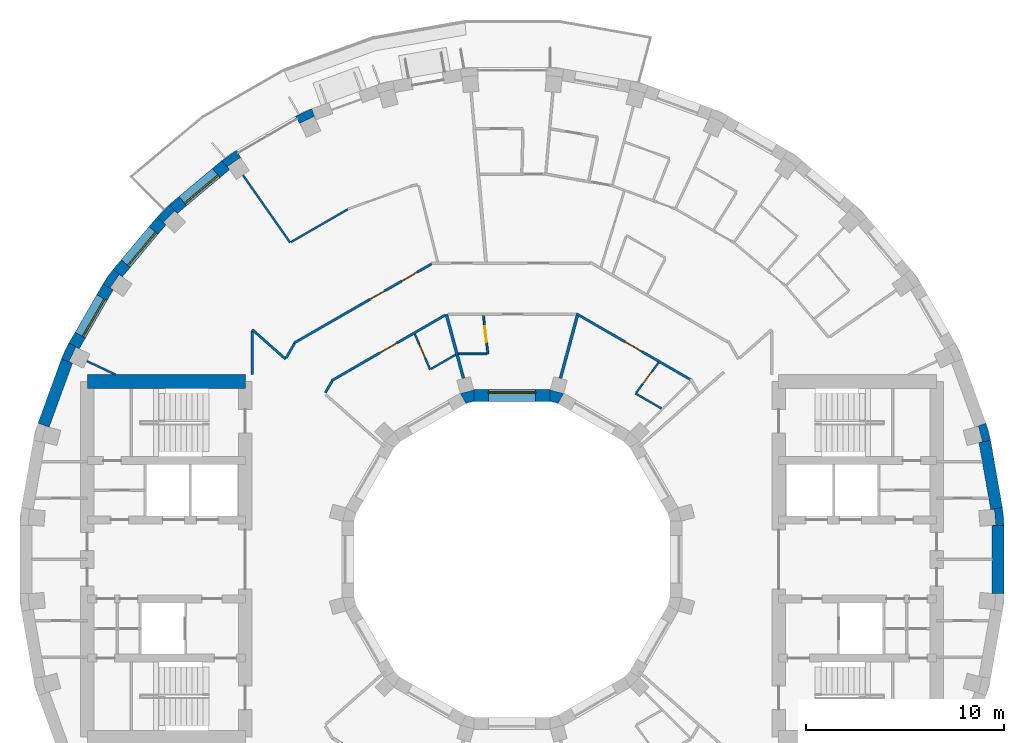
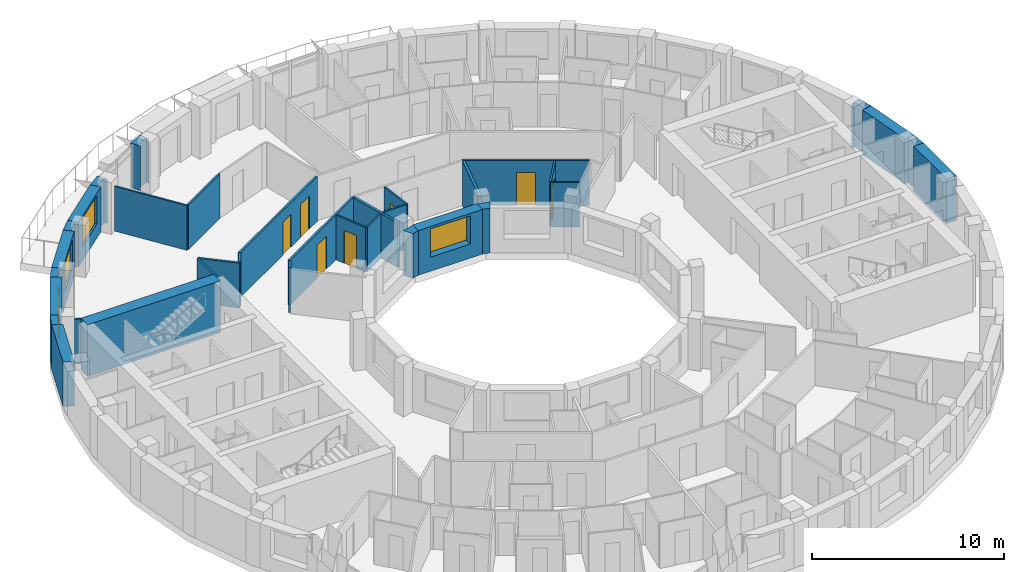
# One storey, part 10 of 14: 35 walls, 7 doors, 4 windows, 11 openings.
"""IFC4 building model written with IfcOpenShell, lengths in metres."""

from ifc_helpers import new_model, si_unit, direction, frame, frame_2d, origin, place, context, subcontext, project, spatial, polyline, rectangle, outline, extrude, material, layer, layer_set, type_object, element, fill, save


model = new_model("IFC4")

# Units and contexts
model_context = context("Model", 3, precision=1e-05, world=origin(), true_north=direction((0.0, 1.0)))
body_context = subcontext(model_context, "Body", "Model", "MODEL_VIEW")
ifc_project = project(units=[si_unit("LENGTHUNIT", "METRE"), si_unit("AREAUNIT", "SQUARE_METRE"), si_unit("VOLUMEUNIT", "CUBIC_METRE"), si_unit("PLANEANGLEUNIT", "RADIAN"), si_unit("MASSUNIT", "GRAM", prefix="KILO")], contexts=[model_context])

# Site, building, storey
site_placement = place(None, origin())
site = spatial("IfcSite", under=ifc_project, at=site_placement, CompositionType="ELEMENT")
building_placement = place(site_placement, origin())
building = spatial("IfcBuilding", under=site, at=building_placement, Name="Saqina Gate Tower", CompositionType="ELEMENT")
storey_placement = place(building_placement, frame((0.0, 0.0, 210.300048828125)))
storey = spatial("IfcBuildingStorey", under=building, at=storey_placement, Name="L60", CompositionType="ELEMENT", Elevation=210.300048828125)

# Walls
ifc_material_1 = material(Name="Brick masonry (buff)", Category="masonry")
wall_type_1 = type_object("IfcWallType", Name="BRICK PIER COPING BUFF", PredefinedType="SOLIDWALL", material=ifc_material_1)
wall_1_placement = place(storey_placement, origin())
element("IfcWall", 1, at=wall_1_placement, inside=storey, type_object=wall_type_1, Name="Pier cap L60 column 1", PredefinedType="SOLIDWALL", context=body_context, shape_type="SweptSolid", body=[
    extrude(outline(polyline([(24.90478515625, 1.724853515625), (24.825927734375, 2.6259765625), (24.235107421875, 2.521728515625), (24.421630859375, 2.5380859375), (24.491455078125, 1.7412109375), (24.304931640625, 1.724853515625), (24.90478515625, 1.724853515625)])), origin(), (0.0, 0.0, 1.0), 2.849853515625),
])
wall_2_placement = place(storey_placement, origin())
element("IfcWall", 2, at=wall_2_placement, inside=storey, type_object=wall_type_1, Name="Pier cap L60 column 2", PredefinedType="SOLIDWALL", context=body_context, shape_type="SweptSolid", body=[
    extrude(outline(polyline([(24.22705078125, 6.0234375), (23.992919921875, 6.897216796875), (23.428955078125, 6.69189453125), (23.610107421875, 6.740478515625), (23.81689453125, 5.967529296875), (23.635986328125, 5.919189453125), (24.22705078125, 6.0234375)])), origin(), (0.0, 0.0, 1.0), 2.849853515625),
])
wall_3_placement = place(storey_placement, origin())
element("IfcWall", 3, at=wall_3_placement, inside=storey, type_object=wall_type_1, Name="Pier cap L60 column 12", PredefinedType="SOLIDWALL", context=body_context, shape_type="SweptSolid", body=[
    extrude(outline(polyline([(-10.958740234375, 22.4306640625), (-10.65869140625, 21.9111328125), (-10.73779296875, 22.080810546875), (-10.0126953125, 22.4189453125), (-9.93359375, 22.249267578125), (-10.138916015625, 22.81298828125), (-10.958740234375, 22.4306640625)])), origin(), (0.0, 0.0, 1.0), 2.849853515625),
])
wall_4_placement = place(storey_placement, origin())
element("IfcWall", 4, at=wall_4_placement, inside=storey, type_object=wall_type_1, Name="Pier cap L60 column 13", PredefinedType="SOLIDWALL", context=body_context, shape_type="SweptSolid", body=[
    extrude(outline(polyline([(-13.9462890625, 20.705810546875), (-14.687255859375, 20.18701171875), (-14.301513671875, 19.727294921875), (-14.408935546875, 19.880859375), (-13.753662109375, 20.339599609375), (-13.646240234375, 20.186279296875), (-13.9462890625, 20.705810546875)])), origin(), (0.0, 0.0, 1.0), 2.849853515625),
])
wall_5_placement = place(storey_placement, origin())
element("IfcWall", 5, at=wall_5_placement, inside=storey, type_object=wall_type_1, Name="Pier cap L60 column 14", PredefinedType="SOLIDWALL", context=body_context, shape_type="SweptSolid", body=[
    extrude(outline(polyline([(-17.969482421875, 17.329833984375), (-17.510009765625, 16.944091796875), (-17.642333984375, 17.07666015625), (-17.07666015625, 17.642333984375), (-16.944091796875, 17.510009765625), (-17.329833984375, 17.969482421875), (-17.969482421875, 17.329833984375)])), origin(), (0.0, 0.0, 1.0), 2.849853515625),
])
wall_6_placement = place(storey_placement, origin())
element("IfcWall", 6, at=wall_6_placement, inside=storey, type_object=wall_type_1, Name="Pier cap L60 column 15", PredefinedType="SOLIDWALL", context=body_context, shape_type="SweptSolid", body=[
    extrude(outline(polyline([(-20.18701171875, 14.687255859375), (-20.705810546875, 13.9462890625), (-20.186279296875, 13.646240234375), (-20.339599609375, 13.753662109375), (-19.880859375, 14.408935546875), (-19.727294921875, 14.301513671875), (-20.18701171875, 14.687255859375)])), origin(), (0.0, 0.0, 1.0), 2.849853515625),
])
wall_7_placement = place(storey_placement, origin())
element("IfcWall", 7, at=wall_7_placement, inside=storey, type_object=wall_type_1, Name="Pier cap L60 column 16", PredefinedType="SOLIDWALL", context=body_context, shape_type="SweptSolid", body=[
    extrude(outline(polyline([(-22.81298828125, 10.138916015625), (-22.249267578125, 9.93359375), (-22.4189453125, 10.0126953125), (-22.080810546875, 10.73779296875), (-21.9111328125, 10.65869140625), (-22.4306640625, 10.958740234375), (-22.81298828125, 10.138916015625)])), origin(), (0.0, 0.0, 1.0), 2.849853515625),
])

# Wall, opening, window
ifc_material_2 = material(Name="Brick masonry (buff)", Category="masonry")
ifc_layer_1 = layer(ifc_material_2, 0.60009765625)
ifc_layer_set_1 = layer_set([ifc_layer_1], Name="FW-BRICK-BUFF")
wall_type_2 = type_object("IfcWallType", Name="FW-BRICK-BUFF", PredefinedType="SOLIDWALL", material=ifc_layer_set_1)
wall_8_placement = place(storey_placement, frame((-14.494384765625, 19.95703125, 0.0), z_axis=(0.0, 0.0, 1.0), x_axis=(-0.766058884809, -0.642770398358, 0.0)))
wall_8 = element("IfcWall", 8, at=wall_8_placement, inside=storey, type_object=wall_type_2, Name="Facade wall L60 facet 13", PredefinedType="SOLIDWALL", context=body_context, shape_type="SweptSolid", body=[
    extrude(rectangle(XDim=3.449462890625, YDim=0.60009765625, at=frame_2d((1.724609375, 0.0))), origin(), (0.0, 0.0, 1.0), 2.849853515625),
])
opening_1_placement = place(wall_8_placement, frame((0.625, 0.0, 0.89990234375)))
opening_1 = element("IfcOpeningElement", 9, at=opening_1_placement, cuts=wall_8, Name="Opening G18-W07", PredefinedType="OPENING", context=body_context, shape_type="SweptSolid", body=[
    extrude(rectangle(XDim=2.199951171875, YDim=1.800048828125, at=frame_2d((1.10009765625, 0.89990234375))), frame((0.0, 0.31201171875, 0.0), z_axis=(0.0, -1.0, 0.0), x_axis=(1.0, 0.0, 0.0)), (0.0, 0.0, 1.0), 0.6240234375),
])
ifc_material_3 = material(Name="Aluminium glazing", Category="aluminium")
window_type_1 = type_object("IfcWindowType", Name="WN-C", PartitioningType="SINGLE_PANEL", PredefinedType="WINDOW", material=ifc_material_3)
window_1_placement = place(opening_1_placement, origin())
window_1 = element("IfcWindow", 10, at=window_1_placement, inside=storey, type_object=window_type_1, Name="Window L60 facet 13", OverallHeight=1.800048828125, OverallWidth=2.199951171875, PartitioningType="SINGLE_PANEL", PredefinedType="WINDOW", context=body_context, shape_type="SweptSolid", body=[
    extrude(rectangle(XDim=2.199951171875, YDim=1.800048828125, at=frame_2d((1.10009765625, 0.89990234375))), frame((0.0, 0.179931640625, 0.0), z_axis=(0.0, -1.0, 0.0), x_axis=(1.0, 0.0, 0.0)), (0.0, 0.0, 1.0), 0.06005859375),
])
fill(opening_1, window_1)

wall_9_placement = place(storey_placement, frame((-17.73974609375, 17.136962890625, 0.0), z_axis=(0.0, 0.0, 1.0), x_axis=(-0.642770398358, -0.766058884809, 0.0)))
wall_9 = element("IfcWall", 11, at=wall_9_placement, inside=storey, type_object=wall_type_2, Name="Facade wall L60 facet 14", PredefinedType="SOLIDWALL", context=body_context, shape_type="SweptSolid", body=[
    extrude(rectangle(XDim=3.449462890625, YDim=0.60009765625, at=frame_2d((1.724609375, 0.0))), origin(), (0.0, 0.0, 1.0), 2.849853515625),
])
opening_2_placement = place(wall_9_placement, frame((0.625, 0.0, 0.89990234375)))
opening_2 = element("IfcOpeningElement", 12, at=opening_2_placement, cuts=wall_9, Name="Opening G18-W08", PredefinedType="OPENING", context=body_context, shape_type="SweptSolid", body=[
    extrude(rectangle(XDim=2.199951171875, YDim=1.800048828125, at=frame_2d((1.10009765625, 0.89990234375))), frame((0.0, 0.31201171875, 0.0), z_axis=(0.0, -1.0, 0.0), x_axis=(1.0, 0.0, 0.0)), (0.0, 0.0, 1.0), 0.6240234375),
])
window_2_placement = place(opening_2_placement, origin())
window_2 = element("IfcWindow", 13, at=window_2_placement, inside=storey, type_object=window_type_1, Name="Window L60 facet 14", OverallHeight=1.800048828125, OverallWidth=2.199951171875, PartitioningType="SINGLE_PANEL", PredefinedType="WINDOW", context=body_context, shape_type="SweptSolid", body=[
    extrude(rectangle(XDim=2.199951171875, YDim=1.800048828125, at=frame_2d((1.10009765625, 0.89990234375))), frame((0.0, 0.179931640625, 0.0), z_axis=(0.0, -1.0, 0.0), x_axis=(1.0, 0.0, 0.0)), (0.0, 0.0, 1.0), 0.06005859375),
])
fill(opening_2, window_2)

wall_10_placement = place(storey_placement, frame((-20.446044921875, 13.796142578125, 0.0), z_axis=(0.0, 0.0, 1.0), x_axis=(-0.499998129301, -0.86602648383, 0.0)))
wall_10 = element("IfcWall", 14, at=wall_10_placement, inside=storey, type_object=wall_type_2, Name="Facade wall L60 facet 15", PredefinedType="SOLIDWALL", context=body_context, shape_type="SweptSolid", body=[
    extrude(rectangle(XDim=3.44970703125, YDim=0.60009765625, at=frame_2d((1.724853515625, 0.0))), origin(), (0.0, 0.0, 1.0), 2.849853515625),
])
opening_3_placement = place(wall_10_placement, frame((0.625, 0.0, 0.89990234375)))
opening_3 = element("IfcOpeningElement", 15, at=opening_3_placement, cuts=wall_10, Name="Opening G18-W09", PredefinedType="OPENING", context=body_context, shape_type="SweptSolid", body=[
    extrude(rectangle(XDim=2.199951171875, YDim=1.800048828125, at=frame_2d((1.10009765625, 0.89990234375))), frame((0.0, 0.31201171875, 0.0), z_axis=(0.0, -1.0, 0.0), x_axis=(1.0, 0.0, 0.0)), (0.0, 0.0, 1.0), 0.6240234375),
])
window_3_placement = place(opening_3_placement, origin())
window_3 = element("IfcWindow", 16, at=window_3_placement, inside=storey, type_object=window_type_1, Name="Window L60 facet 15", OverallHeight=1.800048828125, OverallWidth=2.199951171875, PartitioningType="SINGLE_PANEL", PredefinedType="WINDOW", context=body_context, shape_type="SweptSolid", body=[
    extrude(rectangle(XDim=2.199951171875, YDim=1.800048828125, at=frame_2d((1.10009765625, 0.89990234375))), frame((0.0, 0.179931640625, 0.0), z_axis=(0.0, -1.0, 0.0), x_axis=(1.0, 0.0, 0.0)), (0.0, 0.0, 1.0), 0.06005859375),
])
fill(opening_3, window_3)

# Walls
ifc_material_4 = material(Name="Glazed ceramic tile", Category="ceramic")
ifc_layer_2 = layer(ifc_material_4, 0.60009765625)
ifc_layer_set_2 = layer_set([ifc_layer_2], Name="FW-TILE")
wall_type_3 = type_object("IfcWallType", Name="FW-TILE", PredefinedType="SOLIDWALL", material=ifc_layer_set_2)
wall_11_placement = place(storey_placement, frame((24.530517578125, 2.573974609375, 0.0), z_axis=(0.0, 0.0, 1.0), x_axis=(-0.173607684551, 0.984814892183, 0.0)))
element("IfcWall", 17, at=wall_11_placement, inside=storey, type_object=wall_type_3, Name="Facade wall L60 facet 1", PredefinedType="SOLIDWALL", context=body_context, shape_type="SweptSolid", body=[
    extrude(rectangle(XDim=3.44970703125, YDim=0.60009765625, at=frame_2d((1.724853515625, 0.0))), origin(), (0.0, 0.0, 1.0), 2.849853515625),
])
ifc_material_5 = material(Name="Glazed ceramic tile (white)", Category="ceramic")
ifc_layer_3 = layer(ifc_material_5, 0.60009765625)
ifc_layer_set_3 = layer_set([ifc_layer_3], Name="FW-TILE-WH")
wall_type_4 = type_object("IfcWallType", Name="FW-TILE-WH", PredefinedType="SOLIDWALL", material=ifc_layer_set_3)
for number, where, z_axis, x_axis, name in (
    (18, (-22.531005859375, 10.0361328125, 0.0), (0.0, 0.0, 1.0), (-0.342032843455, -0.93968799822, 0.0), "Facade wall L60 facet 16"),
    (19, (24.60498046875, -1.724853515625, 0.0), (0.0, 0.0, 1.0), (0.0, 1.0, 0.0), "Facade wall L60 facet 36"),
):
    element("IfcWall", number, at=place(storey_placement, frame(where, z_axis=z_axis, x_axis=x_axis)), inside=storey, type_object=wall_type_4, Name=name, PredefinedType="SOLIDWALL", context=body_context, shape_type="SweptSolid", body=[
        extrude(rectangle(XDim=3.44970703125, YDim=0.60009765625, at=frame_2d((1.724853515625, 0.0))), origin(), (0.0, 0.0, 1.0), 2.849853515625),
    ])

# Wall, opening, window
ifc_material_6 = material(Name="Glazed ceramic tile", Category="ceramic")
ifc_layer_4 = layer(ifc_material_6, 0.60009765625)
ifc_layer_set_4 = layer_set([ifc_layer_4], Name="IW-TILE")
wall_type_5 = type_object("IfcWallType", Name="IW-TILE", PredefinedType="SOLIDWALL", material=ifc_layer_set_4)
wall_12_placement = place(storey_placement, frame((1.934814453125, 8.300048828125, 0.0), z_axis=(0.0, 0.0, 1.0), x_axis=(-1.0, 0.0, 0.0)))
wall_12 = element("IfcWall", 20, at=wall_12_placement, inside=storey, type_object=wall_type_5, Name="Well wall L60 facet 3", PredefinedType="SOLIDWALL", context=body_context, shape_type="SweptSolid", body=[
    extrude(rectangle(XDim=3.86962890625, YDim=0.60009765625, at=frame_2d((1.934814453125, 0.0))), origin(), (0.0, 0.0, 1.0), 2.849853515625),
])
opening_4_placement = place(wall_12_placement, frame((0.73486328125, 0.0, 0.89990234375)))
opening_4 = element("IfcOpeningElement", 21, at=opening_4_placement, cuts=wall_12, Name="Opening G18-W25", PredefinedType="OPENING", context=body_context, shape_type="SweptSolid", body=[
    extrude(rectangle(XDim=2.39990234375, YDim=1.800048828125, at=frame_2d((1.199951171875, 0.89990234375))), frame((0.0, 0.31201171875, 0.0), z_axis=(0.0, -1.0, 0.0), x_axis=(1.0, 0.0, 0.0)), (0.0, 0.0, 1.0), 0.6240234375),
])
ifc_material_7 = material(Name="Aluminium glazing", Category="aluminium")
window_type_2 = type_object("IfcWindowType", Name="WN-W", PartitioningType="SINGLE_PANEL", PredefinedType="WINDOW", material=ifc_material_7)
window_4_placement = place(opening_4_placement, origin())
window_4 = element("IfcWindow", 22, at=window_4_placement, inside=storey, type_object=window_type_2, Name="Well window L60 facet 3", OverallHeight=1.800048828125, OverallWidth=2.39990234375, PartitioningType="SINGLE_PANEL", PredefinedType="WINDOW", context=body_context, shape_type="SweptSolid", body=[
    extrude(rectangle(XDim=2.39990234375, YDim=1.800048828125, at=frame_2d((1.199951171875, 0.89990234375))), frame((0.0, -0.119873046875, 0.0), z_axis=(0.0, -1.0, 0.0), x_axis=(1.0, 0.0, 0.0)), (0.0, 0.0, 1.0), 0.06005859375),
])
fill(opening_4, window_4)

# Wall, opening, door
ifc_material_8 = material(Name="Gypsum board on steel studs, 100 mm", Category="steel")
ifc_layer_5 = layer(ifc_material_8, 0.10009765625)
ifc_layer_set_5 = layer_set([ifc_layer_5], Name="PARTITION 100")
wall_type_6 = type_object("IfcWallType", Name="PARTITION 100", PredefinedType="PARTITIONING", material=ifc_layer_set_5)
wall_13_placement = place(storey_placement, frame((-1.44580078125, 12.337890625, 0.0), z_axis=(0.0, 0.0, 1.0), x_axis=(0.116238674347, -0.993221309974, 0.0)))
wall_13 = element("IfcWall", 23, at=wall_13_placement, inside=storey, type_object=wall_type_6, Name="PARTITION PW3-02", PredefinedType="PARTITIONING", context=body_context, shape_type="SweptSolid", body=[
    extrude(rectangle(XDim=1.951171875, YDim=0.10009765625, at=frame_2d((0.9755859375, 0.0))), origin(), (0.0, 0.0, 1.0), 2.849853515625),
])
opening_5_placement = place(wall_13_placement, frame((0.544189453125, 0.0, 0.0)))
opening_5 = element("IfcOpeningElement", 24, at=opening_5_placement, cuts=wall_13, Name="Opening G18-D19", PredefinedType="OPENING", context=body_context, shape_type="SweptSolid", body=[
    extrude(rectangle(XDim=0.800048828125, YDim=2.10009765625, at=frame_2d((0.39990234375, 1.050048828125))), frame((0.0, 0.06201171875, 0.0), z_axis=(0.0, -1.0, 0.0), x_axis=(1.0, 0.0, 0.0)), (0.0, 0.0, 1.0), 0.1240234375),
])
ifc_material_9 = material(Name="Timber door leaf, 800 mm", Category="wood")
door_type_1 = type_object("IfcDoorType", Name="DOOR 800 TIMBER", OperationType="SINGLE_SWING_LEFT", PredefinedType="DOOR", material=ifc_material_9)
door_1_placement = place(opening_5_placement, origin())
door_1 = element("IfcDoor", 25, at=door_1_placement, inside=storey, type_object=door_type_1, Name="DOOR G18-D19", OperationType="SINGLE_SWING_LEFT", OverallHeight=2.10009765625, OverallWidth=0.800048828125, PredefinedType="DOOR", context=body_context, shape_type="SweptSolid", body=[
    extrude(rectangle(XDim=0.800048828125, YDim=2.10009765625, at=frame_2d((0.39990234375, 1.050048828125))), frame((0.0, 0.02490234375, 0.0), z_axis=(0.0, -1.0, 0.0), x_axis=(1.0, 0.0, 0.0)), (0.0, 0.0, 1.0), 0.050048828125),
])
fill(opening_5, door_1)

wall_14_placement = place(storey_placement, frame((-4.917236328125, 11.40771484375, 0.0), z_axis=(0.0, 0.0, 1.0), x_axis=(0.395791139597, -0.918340554379, 0.0)))
wall_14 = element("IfcWall", 26, at=wall_14_placement, inside=storey, type_object=wall_type_6, Name="PARTITION PW3-07", PredefinedType="PARTITIONING", context=body_context, shape_type="SweptSolid", body=[
    extrude(rectangle(XDim=1.951171875, YDim=0.10009765625, at=frame_2d((0.9755859375, 0.0))), origin(), (0.0, 0.0, 1.0), 2.849853515625),
])
opening_6_placement = place(wall_14_placement, frame((0.544189453125, 0.0, 0.0)))
opening_6 = element("IfcOpeningElement", 27, at=opening_6_placement, cuts=wall_14, Name="Opening G18-D23", PredefinedType="OPENING", context=body_context, shape_type="SweptSolid", body=[
    extrude(rectangle(XDim=0.800048828125, YDim=2.10009765625, at=frame_2d((0.39990234375, 1.050048828125))), frame((0.0, 0.06201171875, 0.0), z_axis=(0.0, -1.0, 0.0), x_axis=(1.0, 0.0, 0.0)), (0.0, 0.0, 1.0), 0.1240234375),
])
door_2_placement = place(opening_6_placement, frame((0.800048828125, 0.0, 0.0), z_axis=(0.0, 0.0, 1.0), x_axis=(-1.0, 0.0, 0.0)))
door_2 = element("IfcDoor", 28, at=door_2_placement, inside=storey, type_object=door_type_1, Name="DOOR G18-D23", OperationType="SINGLE_SWING_RIGHT", OverallHeight=2.10009765625, OverallWidth=0.800048828125, PredefinedType="DOOR", context=body_context, shape_type="SweptSolid", body=[
    extrude(rectangle(XDim=0.800048828125, YDim=2.10009765625, at=frame_2d((0.39990234375, 1.050048828125))), frame((0.0, 0.02490234375, 0.0), z_axis=(0.0, -1.0, 0.0), x_axis=(1.0, 0.0, 0.0)), (0.0, 0.0, 1.0), 0.050048828125),
])
fill(opening_6, door_2)

# Walls
wall_15_placement = place(storey_placement, frame((-13.616943359375, 19.446533203125, 0.0), z_axis=(0.0, 0.0, 1.0), x_axis=(0.573521439143, -0.819190550997, 0.0)))
element("IfcWall", 29, at=wall_15_placement, inside=storey, type_object=wall_type_6, Name="PARTITION PW3-11", PredefinedType="PARTITIONING", context=body_context, shape_type="SweptSolid", body=[
    extrude(rectangle(XDim=4.158935546875, YDim=0.10009765625, at=frame_2d((2.07958984375, 0.0))), origin(), (0.0, 0.0, 1.0), 2.849853515625),
])
wall_16_placement = place(storey_placement, frame((6.2548828125, 8.39697265625, 0.0), z_axis=(0.0, 0.0, 1.0), x_axis=(0.866027576455, -0.499996236806, 0.0)))
element("IfcWall", 30, at=wall_16_placement, inside=storey, type_object=wall_type_6, Name="PARTITION PW3-29", PredefinedType="PARTITIONING", context=body_context, shape_type="SweptSolid", body=[
    extrude(rectangle(XDim=1.51806640625, YDim=0.10009765625, at=frame_2d((0.759033203125, 0.0))), origin(), (0.0, 0.0, 1.0), 2.849853515625),
])
wall_17_placement = place(storey_placement, frame((-21.515380859375, 10.033935546875, 0.0), z_axis=(0.0, 0.0, 1.0), x_axis=(0.905418888078, -0.424519301223, 0.0)))
element("IfcWall", 31, at=wall_17_placement, inside=storey, type_object=wall_type_6, Name="PARTITION PW3-33", PredefinedType="PARTITIONING", context=body_context, shape_type="SweptSolid", body=[
    extrude(rectangle(XDim=1.61083984375, YDim=0.10009765625, at=frame_2d((0.805419921875, 0.0))), origin(), (0.0, 0.0, 1.0), 2.849853515625),
])
wall_18_placement = place(storey_placement, frame((-2.7119140625, 10.39990234375, 0.0), z_axis=(0.0, 0.0, 1.0), x_axis=(1.0, 0.0, 0.0)))
element("IfcWall", 32, at=wall_18_placement, inside=storey, type_object=wall_type_6, Name="PARTITION PW3-45", PredefinedType="PARTITIONING", context=body_context, shape_type="SweptSolid", body=[
    extrude(rectangle(XDim=1.44287109375, YDim=0.10009765625, at=frame_2d((0.721435546875, 0.0))), origin(), (0.0, 0.0, 1.0), 2.849853515625),
])
wall_19_placement = place(storey_placement, frame((-4.101806640625, 9.64111328125, 0.0), z_axis=(0.0, 0.0, 1.0), x_axis=(0.866058810152, 0.49994213401, 0.0)))
element("IfcWall", 33, at=wall_19_placement, inside=storey, type_object=wall_type_6, Name="PARTITION PW3-59", PredefinedType="PARTITIONING", context=body_context, shape_type="SweptSolid", body=[
    extrude(rectangle(XDim=1.443115234375, YDim=0.10009765625, at=frame_2d((0.7216796875, 0.0))), origin(), (0.0, 0.0, 1.0), 2.849853515625),
])
wall_20_placement = place(storey_placement, frame((-11.185791015625, 16.065185546875, 0.0), z_axis=(0.0, 0.0, 1.0), x_axis=(0.866233493035, 0.499639405515, 0.0)))
element("IfcWall", 34, at=wall_20_placement, inside=storey, type_object=wall_type_6, Name="PARTITION PW3-60", PredefinedType="PARTITIONING", context=body_context, shape_type="SweptSolid", body=[
    extrude(rectangle(XDim=3.30859375, YDim=0.10009765625, at=frame_2d((1.654296875, 0.0))), origin(), (0.0, 0.0, 1.0), 2.849853515625),
])

# Wall, opening, door
wall_21_placement = place(storey_placement, frame((6.284912109375, 8.43701171875, 0.0), z_axis=(0.0, 0.0, 1.0), x_axis=(0.597325895746, 0.801998612388, 0.0)))
wall_21 = element("IfcWall", 35, at=wall_21_placement, inside=storey, type_object=wall_type_6, Name="PARTITION PW3-70", PredefinedType="PARTITIONING", context=body_context, shape_type="SweptSolid", body=[
    extrude(rectangle(XDim=1.9013671875, YDim=0.10009765625, at=frame_2d((0.95068359375, 0.0))), origin(), (0.0, 0.0, 1.0), 2.849853515625),
])
opening_7_placement = place(wall_21_placement, frame((0.556884765625, 0.0, 0.0)))
opening_7 = element("IfcOpeningElement", 36, at=opening_7_placement, cuts=wall_21, Name="Opening G18-D05", PredefinedType="OPENING", context=body_context, shape_type="SweptSolid", body=[
    extrude(rectangle(XDim=0.800048828125, YDim=2.10009765625, at=frame_2d((0.39990234375, 1.050048828125))), frame((0.0, 0.06201171875, 0.0), z_axis=(0.0, -1.0, 0.0), x_axis=(1.0, 0.0, 0.0)), (0.0, 0.0, 1.0), 0.1240234375),
])
door_3_placement = place(opening_7_placement, origin())
door_3 = element("IfcDoor", 37, at=door_3_placement, inside=storey, type_object=door_type_1, Name="DOOR G18-D05", OperationType="SINGLE_SWING_RIGHT", OverallHeight=2.10009765625, OverallWidth=0.800048828125, PredefinedType="DOOR", context=body_context, shape_type="SweptSolid", body=[
    extrude(rectangle(XDim=0.800048828125, YDim=2.10009765625, at=frame_2d((0.39990234375, 1.050048828125))), frame((0.0, 0.02490234375, 0.0), z_axis=(0.0, -1.0, 0.0), x_axis=(1.0, 0.0, 0.0)), (0.0, 0.0, 1.0), 0.050048828125),
])
fill(opening_7, door_3)

# Wall
ifc_material_10 = material(Name="Gypsum board on steel studs, 125 mm, fire rated", Category="steel")
ifc_layer_6 = layer(ifc_material_10, 0.125)
ifc_layer_set_6 = layer_set([ifc_layer_6], Name="PARTITION EI 30 125")
wall_type_7 = type_object("IfcWallType", Name="PARTITION EI 30 125", PredefinedType="PARTITIONING", material=ifc_layer_set_6)
wall_22_placement = place(storey_placement, frame((-13.14697265625, 11.63134765625, 0.0), z_axis=(0.0, 0.0, 1.0), x_axis=(0.748942615969, -0.662634860225, 0.0)))
element("IfcWall", 38, at=wall_22_placement, inside=storey, type_object=wall_type_7, Name="PARTITION PW1-11", PredefinedType="PARTITIONING", context=body_context, shape_type="SweptSolid", body=[
    extrude(rectangle(XDim=2.24609375, YDim=0.125, at=frame_2d((1.123046875, 0.0))), origin(), (0.0, 0.0, 1.0), 2.849853515625),
])

# Wall, opening, door
wall_23_placement = place(storey_placement, frame((3.260498046875, 12.43603515625, 0.0), z_axis=(0.0, 0.0, 1.0), x_axis=(0.865965002636, -0.500104603268, 0.0)))
wall_23 = element("IfcWall", 39, at=wall_23_placement, inside=storey, type_object=wall_type_7, Name="PARTITION PW1-21", PredefinedType="PARTITIONING", context=body_context, shape_type="SweptSolid", body=[
    extrude(rectangle(XDim=6.654296875, YDim=0.125, at=frame_2d((3.3271484375, 0.0))), origin(), (0.0, 0.0, 1.0), 2.849853515625),
])
opening_8_placement = place(wall_23_placement, frame((2.843505859375, 0.0, 0.0)))
opening_8 = element("IfcOpeningElement", 40, at=opening_8_placement, cuts=wall_23, Name="Opening G18-D07", PredefinedType="OPENING", context=body_context, shape_type="SweptSolid", body=[
    extrude(rectangle(XDim=1.0, YDim=2.10009765625, at=frame_2d((0.5, 1.050048828125))), frame((0.0, 0.074462890625, 0.0), z_axis=(0.0, -1.0, 0.0), x_axis=(1.0, 0.0, 0.0)), (0.0, 0.0, 1.0), 0.14892578125),
])
ifc_material_11 = material(Name="Fire door leaf EI 30, 1000 mm")
door_type_2 = type_object("IfcDoorType", Name="DOOR 1000 EI 30", OperationType="SINGLE_SWING_LEFT", PredefinedType="DOOR", material=ifc_material_11)
door_4_placement = place(opening_8_placement, frame((1.0, 0.0, 0.0), z_axis=(0.0, 0.0, 1.0), x_axis=(-1.0, 0.0, 0.0)))
door_4 = element("IfcDoor", 41, at=door_4_placement, inside=storey, type_object=door_type_2, Name="DOOR G18-D07", OperationType="SINGLE_SWING_LEFT", OverallHeight=2.10009765625, OverallWidth=1.0, PredefinedType="DOOR", context=body_context, shape_type="SweptSolid", body=[
    extrude(rectangle(XDim=1.0, YDim=2.10009765625, at=frame_2d((0.5, 1.050048828125))), frame((0.0, 0.02490234375, 0.0), z_axis=(0.0, -1.0, 0.0), x_axis=(1.0, 0.0, 0.0)), (0.0, 0.0, 1.0), 0.050048828125),
])
fill(opening_8, door_4)

# Wall, openings, doors
wall_24_placement = place(storey_placement, frame((-11.044677734375, 10.945556640625, 0.0), z_axis=(0.0, 0.0, 1.0), x_axis=(0.866772253505, 0.498704181409, 0.0)))
wall_24 = element("IfcWall", 42, at=wall_24_placement, inside=storey, type_object=wall_type_7, Name="PARTITION PW1-34", PredefinedType="PARTITIONING", context=body_context, shape_type="SweptSolid", body=[
    extrude(rectangle(XDim=8.049072265625, YDim=0.125, at=frame_2d((4.0244140625, 0.0))), origin(), (0.0, 0.0, 1.0), 2.849853515625),
])
opening_9_placement = place(wall_24_placement, frame((6.30810546875, 0.0, 0.0)))
opening_9 = element("IfcOpeningElement", 43, at=opening_9_placement, cuts=wall_24, Name="Opening G18-D21", PredefinedType="OPENING", context=body_context, shape_type="SweptSolid", body=[
    extrude(rectangle(XDim=0.89990234375, YDim=2.10009765625, at=frame_2d((0.449951171875, 1.050048828125))), frame((0.0, 0.074462890625, 0.0), z_axis=(0.0, -1.0, 0.0), x_axis=(1.0, 0.0, 0.0)), (0.0, 0.0, 1.0), 0.14892578125),
])
opening_10_placement = place(wall_24_placement, frame((4.462646484375, 0.0, 0.0)))
opening_10 = element("IfcOpeningElement", 44, at=opening_10_placement, cuts=wall_24, Name="Opening G18-D24", PredefinedType="OPENING", context=body_context, shape_type="SweptSolid", body=[
    extrude(rectangle(XDim=0.85009765625, YDim=2.10009765625, at=frame_2d((0.425048828125, 1.050048828125))), frame((0.0, 0.074462890625, 0.0), z_axis=(0.0, -1.0, 0.0), x_axis=(1.0, 0.0, 0.0)), (0.0, 0.0, 1.0), 0.14892578125),
])
ifc_material_12 = material(Name="Fire door leaf EI 30, 850 mm")
door_type_3 = type_object("IfcDoorType", Name="DOOR 850 EI 30", OperationType="SINGLE_SWING_LEFT", PredefinedType="DOOR", material=ifc_material_12)
door_5_placement = place(opening_10_placement, frame((0.85009765625, 0.0, 0.0), z_axis=(0.0, 0.0, 1.0), x_axis=(-1.0, 0.0, 0.0)))
door_5 = element("IfcDoor", 45, at=door_5_placement, inside=storey, type_object=door_type_3, Name="DOOR G18-D24", OperationType="SINGLE_SWING_LEFT", OverallHeight=2.10009765625, OverallWidth=0.85009765625, PredefinedType="DOOR", context=body_context, shape_type="SweptSolid", body=[
    extrude(rectangle(XDim=0.85009765625, YDim=2.10009765625, at=frame_2d((0.425048828125, 1.050048828125))), frame((0.0, 0.02490234375, 0.0), z_axis=(0.0, -1.0, 0.0), x_axis=(1.0, 0.0, 0.0)), (0.0, 0.0, 1.0), 0.050048828125),
])
fill(opening_10, door_5)
ifc_material_13 = material(Name="Fire door leaf EI 30, 900 mm")
door_type_4 = type_object("IfcDoorType", Name="DOOR 900 EI 30", OperationType="SINGLE_SWING_LEFT", PredefinedType="DOOR", material=ifc_material_13)
door_6_placement = place(opening_9_placement, frame((0.89990234375, 0.0, 0.0), z_axis=(0.0, 0.0, 1.0), x_axis=(-1.0, 0.0, 0.0)))
door_6 = element("IfcDoor", 46, at=door_6_placement, inside=storey, type_object=door_type_4, Name="DOOR G18-D21", OperationType="SINGLE_SWING_LEFT", OverallHeight=2.10009765625, OverallWidth=0.89990234375, PredefinedType="DOOR", context=body_context, shape_type="SweptSolid", body=[
    extrude(rectangle(XDim=0.89990234375, YDim=2.10009765625, at=frame_2d((0.449951171875, 1.050048828125))), frame((0.0, 0.02490234375, 0.0), z_axis=(0.0, -1.0, 0.0), x_axis=(1.0, 0.0, 0.0)), (0.0, 0.0, 1.0), 0.050048828125),
])
fill(opening_9, door_6)

# Wall, opening, door
wall_25_placement = place(storey_placement, frame((-9.139404296875, 9.041015625, 0.0), z_axis=(0.0, 0.0, 1.0), x_axis=(0.865965193508, 0.50010427276, 0.0)))
wall_25 = element("IfcWall", 47, at=wall_25_placement, inside=storey, type_object=wall_type_7, Name="PARTITION PW1-38", PredefinedType="PARTITIONING", context=body_context, shape_type="SweptSolid", body=[
    extrude(rectangle(XDim=6.6416015625, YDim=0.125, at=frame_2d((3.32080078125, 0.0))), origin(), (0.0, 0.0, 1.0), 2.849853515625),
])
opening_11_placement = place(wall_25_placement, frame((2.843505859375, 0.0, 0.0)))
opening_11 = element("IfcOpeningElement", 48, at=opening_11_placement, cuts=wall_25, Name="Opening G18-D25", PredefinedType="OPENING", context=body_context, shape_type="SweptSolid", body=[
    extrude(rectangle(XDim=1.0, YDim=2.10009765625, at=frame_2d((0.5, 1.050048828125))), frame((0.0, 0.074462890625, 0.0), z_axis=(0.0, -1.0, 0.0), x_axis=(1.0, 0.0, 0.0)), (0.0, 0.0, 1.0), 0.14892578125),
])
door_7_placement = place(opening_11_placement, frame((1.0, 0.0, 0.0), z_axis=(0.0, 0.0, 1.0), x_axis=(-1.0, 0.0, 0.0)))
door_7 = element("IfcDoor", 49, at=door_7_placement, inside=storey, type_object=door_type_2, Name="DOOR G18-D25", OperationType="SINGLE_SWING_LEFT", OverallHeight=2.10009765625, OverallWidth=1.0, PredefinedType="DOOR", context=body_context, shape_type="SweptSolid", body=[
    extrude(rectangle(XDim=1.0, YDim=2.10009765625, at=frame_2d((0.5, 1.050048828125))), frame((0.0, 0.02490234375, 0.0), z_axis=(0.0, -1.0, 0.0), x_axis=(1.0, 0.0, 0.0)), (0.0, 0.0, 1.0), 0.050048828125),
])
fill(opening_11, door_7)

# Walls
wall_26_placement = place(storey_placement, frame((-9.44580078125, 8.439208984375, 0.0), z_axis=(0.0, 0.0, 1.0), x_axis=(0.500422377307, 0.865781406759, 0.0)))
element("IfcWall", 50, at=wall_26_placement, inside=storey, type_object=wall_type_7, Name="PARTITION PW1-48", PredefinedType="PARTITIONING", context=body_context, shape_type="SweptSolid", body=[
    extrude(rectangle(XDim=0.67431640625, YDim=0.125, at=frame_2d((0.337158203125, 0.0))), origin(), (0.0, 0.0, 1.0), 2.849853515625),
])
wall_27_placement = place(storey_placement, frame((-11.4326171875, 10.19921875, 0.0), z_axis=(0.0, 0.0, 1.0), x_axis=(0.500326004058, 0.865837103423, 0.0)))
element("IfcWall", 51, at=wall_27_placement, inside=storey, type_object=wall_type_7, Name="PARTITION PW1-49", PredefinedType="PARTITIONING", context=body_context, shape_type="SweptSolid", body=[
    extrude(rectangle(XDim=0.84033203125, YDim=0.125, at=frame_2d((0.420166015625, 0.0))), origin(), (0.0, 0.0, 1.0), 2.849853515625),
])
wall_28_placement = place(storey_placement, frame((-13.14990234375, 9.35107421875, 0.0), z_axis=(0.0, 0.0, 1.0), x_axis=(0.0, 1.0, 0.0)))
element("IfcWall", 52, at=wall_28_placement, inside=storey, type_object=wall_type_7, Name="PARTITION PW1-53", PredefinedType="PARTITIONING", context=body_context, shape_type="SweptSolid", body=[
    extrude(rectangle(XDim=2.21630859375, YDim=0.125, at=frame_2d((1.108154296875, 0.0))), origin(), (0.0, 0.0, 1.0), 2.849853515625),
])
ifc_material_14 = material(Name="Gypsum board on steel studs, 150 mm, fire rated", Category="steel")
ifc_layer_7 = layer(ifc_material_14, 0.14990234375)
ifc_layer_set_7 = layer_set([ifc_layer_7], Name="PARTITION EI 60 150")
wall_type_8 = type_object("IfcWallType", Name="PARTITION EI 60 150", PredefinedType="PARTITIONING", material=ifc_layer_set_7)
wall_29_placement = place(storey_placement, frame((-3.322998046875, 12.39990234375, 0.0), z_axis=(0.0, 0.0, 1.0), x_axis=(0.258866194904, -0.965913191304, 0.0)))
element("IfcWall", 53, at=wall_29_placement, inside=storey, type_object=wall_type_8, Name="PARTITION PW2-03", PredefinedType="PARTITIONING", context=body_context, shape_type="SweptSolid", body=[
    extrude(rectangle(XDim=3.34521484375, YDim=0.14990234375, at=frame_2d((1.672607421875, 0.0))), origin(), (0.0, 0.0, 1.0), 2.849853515625),
])
wall_30_placement = place(storey_placement, frame((2.4541015625, 9.16943359375, 0.0), z_axis=(0.0, 0.0, 1.0), x_axis=(0.259768108771, 0.965671025591, 0.0)))
element("IfcWall", 54, at=wall_30_placement, inside=storey, type_object=wall_type_8, Name="PARTITION PW2-04", PredefinedType="PARTITIONING", context=body_context, shape_type="SweptSolid", body=[
    extrude(rectangle(XDim=3.282958984375, YDim=0.14990234375, at=frame_2d((1.6416015625, 0.0))), origin(), (0.0, 0.0, 1.0), 2.849853515625),
])
ifc_material_15 = material(Name="Concrete C60/75", Category="concrete")
ifc_layer_8 = layer(ifc_material_15, 0.699951171875)
ifc_layer_set_8 = layer_set([ifc_layer_8], Name="Concrete C60/75")
wall_type_9 = type_object("IfcWallType", Name="STR-CORE WALL-C-O", PredefinedType="SHEAR", material=ifc_layer_set_8)
wall_31_placement = place(storey_placement, frame((-13.5, 9.0, 0.0), z_axis=(0.0, 0.0, 1.0), x_axis=(-1.0, 0.0, 0.0)))
element("IfcWall", 55, at=wall_31_placement, inside=storey, type_object=wall_type_9, Name="CORE WALL L60 W-NE", PredefinedType="SHEAR", context=body_context, shape_type="SweptSolid", body=[
    extrude(rectangle(XDim=8.0, YDim=0.699951171875, at=frame_2d((4.0, 0.0))), origin(), (0.0, 0.0, 1.0), 3.300048828125),
])
ifc_material_16 = material(Name="Glazed ceramic tile", Category="ceramic")
wall_type_10 = type_object("IfcWallType", Name="TILE PIER COPING", PredefinedType="SOLIDWALL", material=ifc_material_16)
wall_32_placement = place(storey_placement, origin())
element("IfcWall", 56, at=wall_32_placement, inside=storey, type_object=wall_type_10, Name="Well pier cap L60 column 3", PredefinedType="SOLIDWALL", context=body_context, shape_type="SweptSolid", body=[
    extrude(outline(polyline([(1.934814453125, 8.573486328125), (1.934814453125, 8.0), (2.32421875, 7.895751953125), (2.611083984375, 8.392333984375), (1.934814453125, 8.573486328125)])), origin(), (0.0, 0.0, 1.0), 2.849853515625),
])
wall_33_placement = place(storey_placement, origin())
element("IfcWall", 57, at=wall_33_placement, inside=storey, type_object=wall_type_10, Name="Well pier cap L60 column 4", PredefinedType="SOLIDWALL", context=body_context, shape_type="SweptSolid", body=[
    extrude(outline(polyline([(-1.934814453125, 8.0), (-1.934814453125, 8.573486328125), (-2.611083984375, 8.392333984375), (-2.32421875, 7.895751953125), (-1.934814453125, 8.0)])), origin(), (0.0, 0.0, 1.0), 2.849853515625),
])

save(model, "model.ifc")
